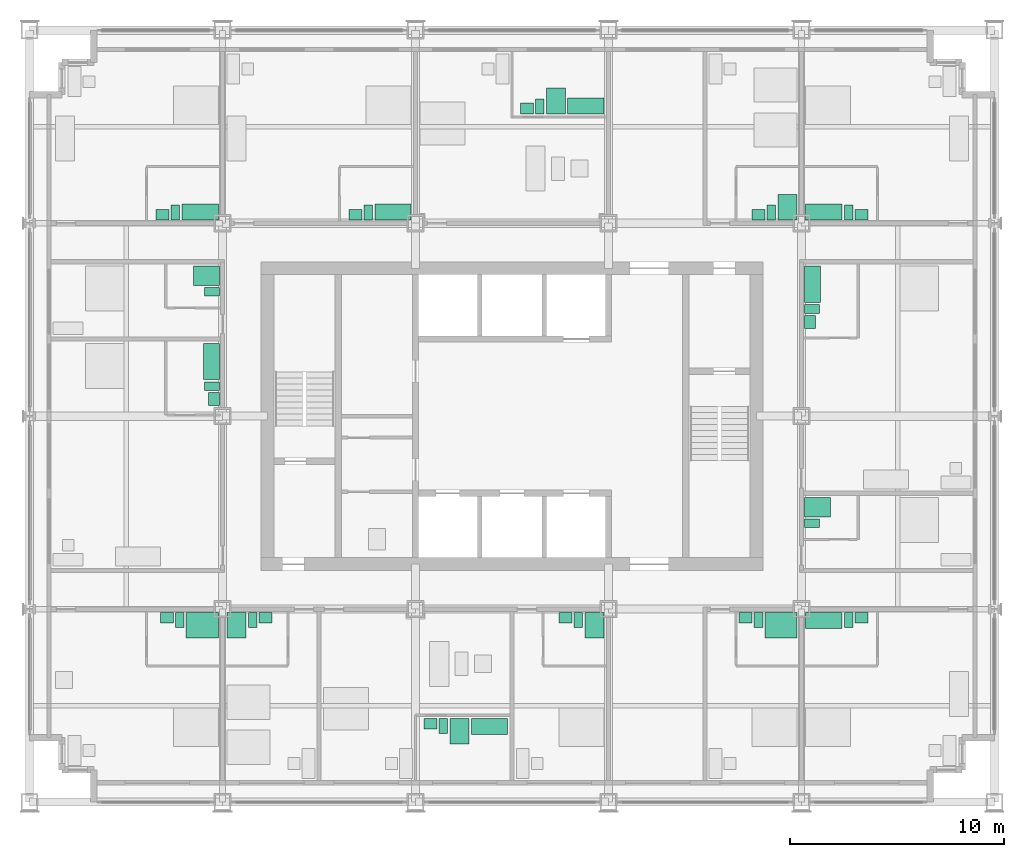
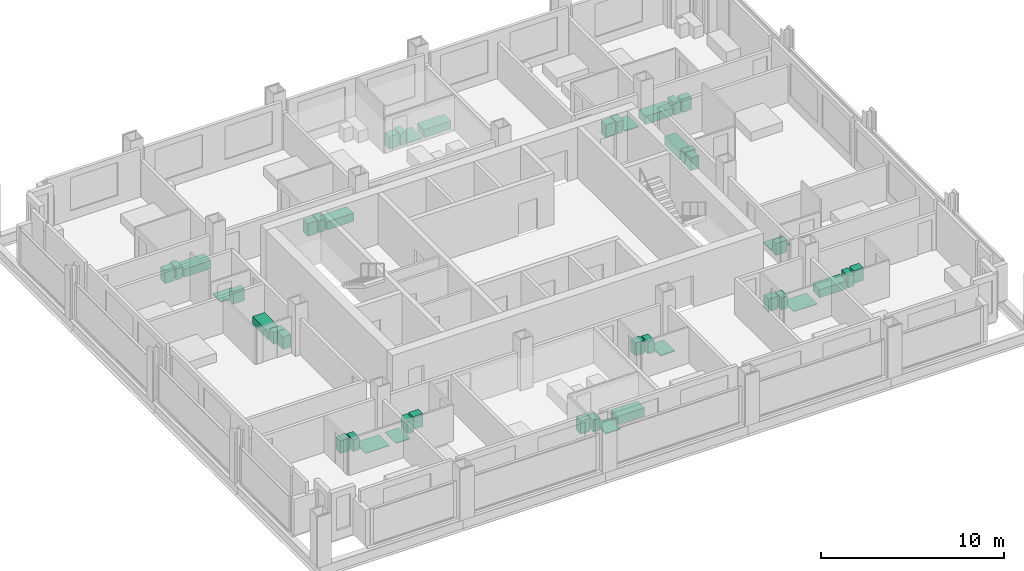
# One storey, part 15 of 16: 45 sanitary terminals.
"""IFC4 building model written with IfcOpenShell, lengths in metres."""

import ifcopenshell
import ifcopenshell.guid

model = None  # the IFC model being written
_history = None  # IfcOwnerHistory: only IFC2X3 demands one
_inside = {}  # id of a spatial element -> (the spatial element, [elements in it])
_under = {}  # id of a project, library or spatial element -> (it, [spatial elements below it])
_declared = {}  # id of a project -> (the project, [libraries it declares])
_typed = {}  # id of a type object -> (the type object, [elements of that type])
_made_of = {}  # id of a material, layer set ... -> (it, [elements and type objects made of it])


def new_model(schema):
    """Start an empty IFC model of exactly this schema.

    Asked for "IFC4X3", IfcOpenShell would pick the latest addendum, in which some entities
    have other attributes; the version numbers below select the first issue.
    IFC2X3 requires an IfcOwnerHistory on every rooted entity: one is made here for all.
    """
    global model, _history
    if schema == "IFC4X3":
        model = ifcopenshell.file(schema_version=(4, 3, 0, 0))
    else:
        model = ifcopenshell.file(schema=schema)
    _inside.clear()
    _under.clear()
    _declared.clear()
    _typed.clear()
    _made_of.clear()
    _history = None
    if model.schema == "IFC2X3":
        org = make("IfcOrganization", Name="unknown")
        user = make(
            "IfcPersonAndOrganization",
            ThePerson=make("IfcPerson", FamilyName="unknown"),
            TheOrganization=org,
        )
        app = make(
            "IfcApplication",
            ApplicationDeveloper=org,
            Version="unknown",
            ApplicationFullName="unknown",
            ApplicationIdentifier="unknown",
        )
        _history = make(
            "IfcOwnerHistory",
            OwningUser=user,
            OwningApplication=app,
            ChangeAction="ADDED",
            CreationDate=0,
        )
    return model


def make(cls, **values):
    """One entity of the class cls with the attributes given. An attribute that is None is left unset."""
    return model.create_entity(
        cls, **{name: value for name, value in values.items() if value is not None}
    )


def rooted(cls, **values):
    """An entity with a GlobalId (a new one), such as an element, a storey or a relation."""
    return make(cls, GlobalId=ifcopenshell.guid.new(), OwnerHistory=_history, **values)


def si_unit(unit_type, name, prefix=None):
    """IfcSIUnit, for example si_unit("LENGTHUNIT", "METRE", prefix="MILLI")."""
    return make("IfcSIUnit", UnitType=unit_type, Prefix=prefix, Name=name)


def assignment(units):
    """IfcUnitAssignment: the units of a project."""
    return None if units is None else make("IfcUnitAssignment", Units=units)


def point(xyz):
    """IfcCartesianPoint."""
    return None if xyz is None else make("IfcCartesianPoint", Coordinates=xyz)


def direction(xyz):
    """IfcDirection."""
    return None if xyz is None else make("IfcDirection", DirectionRatios=xyz)


def frame(location, z_axis=None, x_axis=None):
    """IfcAxis2Placement3D, a coordinate frame: its origin and axes. An axis left out is left unset."""
    return make(
        "IfcAxis2Placement3D",
        Location=point(location),
        Axis=direction(z_axis),
        RefDirection=direction(x_axis),
    )


def frame_2d(location, x_axis=None):
    """IfcAxis2Placement2D, a coordinate frame in the plane: its origin and x axis."""
    return make(
        "IfcAxis2Placement2D", Location=point(location), RefDirection=direction(x_axis)
    )


def origin():
    """The frame at (0, 0, 0) with its axes left unset."""
    return frame((0.0, 0.0, 0.0))


def origin_2d():
    """The frame at (0, 0) in the plane with its x axis left unset."""
    return frame_2d((0.0, 0.0))


def place(relative_to, where):
    """IfcLocalPlacement: puts the frame where relative to a parent placement (None: the world)."""
    return make(
        "IfcLocalPlacement", PlacementRelTo=relative_to, RelativePlacement=where
    )


def context(
    kind, dimensions, precision=None, world=None, true_north=None, identifier=None
):
    """IfcGeometricRepresentationContext, for example the 3D "Model" context."""
    return make(
        "IfcGeometricRepresentationContext",
        ContextIdentifier=identifier,
        ContextType=kind,
        CoordinateSpaceDimension=dimensions,
        Precision=precision,
        WorldCoordinateSystem=world,
        TrueNorth=true_north,
    )


def subcontext(parent, identifier, kind, view, scale=None):
    """IfcGeometricRepresentationSubContext, for example "Body" below "Model"."""
    return make(
        "IfcGeometricRepresentationSubContext",
        ContextIdentifier=identifier,
        ContextType=kind,
        ParentContext=parent,
        TargetScale=scale,
        TargetView=view,
    )


def project(units=None, contexts=None):
    """IfcProject with its units and contexts."""
    return rooted(
        "IfcProject",
        Name="project",
        RepresentationContexts=contexts,
        UnitsInContext=assignment(units),
    )


def spatial(cls, under=None, at=None, **own):
    """A site, building, storey or space (cls), placed at a placement, below another one or the project."""
    s = rooted(cls, ObjectPlacement=at, **own)
    if under is not None:
        _under.setdefault(under.id(), (under, []))[1].append(s)
    return s


def profile(cls, at=None, kind="AREA", **sizes):
    """A parametric profile (cls). Its sizes go by their IFC names, for example OverallWidth=200.0."""
    return make(cls, ProfileType=kind, Position=at, **sizes)


def rectangle(**sizes):
    """IfcRectangleProfileDef."""
    return profile("IfcRectangleProfileDef", **sizes)


def extrude(swept, where, along, depth):
    """IfcExtrudedAreaSolid: the profile swept, set in the frame where, extruded along a direction by depth."""
    return make(
        "IfcExtrudedAreaSolid",
        SweptArea=swept,
        Position=where,
        ExtrudedDirection=direction(along),
        Depth=depth,
    )


def shape(context_of_items, identifier, shape_type, items):
    """IfcShapeRepresentation: the items that make up one representation, for example the "Body"."""
    return make(
        "IfcShapeRepresentation",
        ContextOfItems=context_of_items,
        RepresentationIdentifier=identifier,
        RepresentationType=shape_type,
        Items=items,
    )


def made_of(thing, what):
    """Note that an element or type object is made of a material, layer set ...; save() writes the relation."""
    if what is not None:
        _made_of.setdefault(what.id(), (what, []))[1].append(thing)
    return thing


def element(
    cls,
    number,
    at=None,
    inside=None,
    cuts=None,
    type_object=None,
    material=None,
    context=None,
    identifier="Body",
    shape_type=None,
    held_by="IfcProductDefinitionShape",
    body=None,
    shapes=None,
    **own,
):
    """One element of the class cls, such as IfcWall. Its Tag is "e" and its number.

    at: its placement. inside: the storey or other place that contains it. cuts: it is an
    opening in that element (IfcRelVoidsElement). A single representation is given by context,
    identifier, shape_type and body (its items); several are given by shapes. held_by: the class
    of the entity that holds the representations. save() writes the other relations.
    """
    e = rooted(cls, Tag="e%d" % number, ObjectPlacement=at, **own)
    if body is not None:
        shapes = [shape(context, identifier, shape_type, body)]
    if shapes is not None:
        e.Representation = make(held_by, Representations=shapes)
    if inside is not None:
        _inside.setdefault(inside.id(), (inside, []))[1].append(e)
    if cuts is not None:
        rooted(
            "IfcRelVoidsElement", RelatingBuildingElement=cuts, RelatedOpeningElement=e
        )
    if type_object is not None:
        _typed.setdefault(type_object.id(), (type_object, []))[1].append(e)
    return made_of(e, material)


def aggregate(whole, parts):
    """IfcRelAggregates: a whole, such as a stair, and the parts it consists of."""
    return rooted("IfcRelAggregates", RelatingObject=whole, RelatedObjects=parts)


def save(model, path):
    """Write the relations noted so far, then the file.

    IfcRelAggregates (storeys below a building ...), IfcRelContainedInSpatialStructure (elements
    in a storey), IfcRelDefinesByType, IfcRelAssociatesMaterial and IfcRelDeclares: one each for
    every whole, place, type object, material and project.
    """
    for whole, parts in _under.values():
        aggregate(whole, parts)
    for where, things in _inside.values():
        rooted(
            "IfcRelContainedInSpatialStructure",
            RelatedElements=things,
            RelatingStructure=where,
        )
    for kind, things in _typed.values():
        rooted("IfcRelDefinesByType", RelatedObjects=things, RelatingType=kind)
    for what, things in _made_of.values():
        rooted("IfcRelAssociatesMaterial", RelatedObjects=things, RelatingMaterial=what)
    for by, libraries in _declared.values():
        rooted("IfcRelDeclares", RelatingContext=by, RelatedDefinitions=libraries)
    model.write(path)


model = new_model("IFC4")

# Units and contexts
model_context = context("Model", 3, precision=1e-05, world=origin(), true_north=direction((0.0, 1.0)))
body_context = subcontext(model_context, "Body", "Model", "MODEL_VIEW")
ifc_project = project(units=[si_unit("LENGTHUNIT", "METRE"), si_unit("AREAUNIT", "SQUARE_METRE"), si_unit("VOLUMEUNIT", "CUBIC_METRE"), si_unit("PLANEANGLEUNIT", "RADIAN"), si_unit("MASSUNIT", "GRAM", prefix="KILO")], contexts=[model_context])

# Site, building, storey
site_placement = place(None, origin())
site = spatial("IfcSite", under=ifc_project, at=site_placement, CompositionType="ELEMENT")
building_placement = place(site_placement, origin())
building = spatial("IfcBuilding", under=site, at=building_placement, Name="Loomwork Tower", CompositionType="ELEMENT")
storey_placement = place(building_placement, frame((0.0, 0.0, 121.39990234375)))
storey = spatial("IfcBuildingStorey", under=building, at=storey_placement, Name="L32", CompositionType="ELEMENT", Elevation=121.39990234375)

# Sanitary terminals
sanitary_terminal_1_placement = place(storey_placement, frame((8.050048828125, 8.25, 0.0), z_axis=(0.0, 0.0, 1.0), x_axis=(1.0, 0.0, 0.0)))
element("IfcSanitaryTerminal", 1, at=sanitary_terminal_1_placement, inside=storey, Name="Roll-in shower floor L32", PredefinedType="SHOWER", context=body_context, shape_type="SweptSolid", body=[
    extrude(rectangle(XDim=1.5, YDim=1.199951171875, at=origin_2d()), origin(), (0.0, 0.0, 1.0), 0.030029296875),
])
sanitary_terminal_2_placement = place(storey_placement, frame((7.0, 8.5, 0.0), z_axis=(0.0, 0.0, 1.0), x_axis=(1.0, 0.0, 0.0)))
element("IfcSanitaryTerminal", 2, at=sanitary_terminal_2_placement, inside=storey, Name="WC L32", PredefinedType="TOILETPAN", context=body_context, shape_type="SweptSolid", body=[
    extrude(rectangle(XDim=0.39990234375, YDim=0.699951171875, at=origin_2d()), origin(), (0.0, 0.0, 1.0), 0.800048828125),
])
sanitary_terminal_3_placement = place(storey_placement, frame((6.39990234375, 8.60009765625, 0.0), z_axis=(0.0, 0.0, 1.0), x_axis=(1.0, 0.0, 0.0)))
element("IfcSanitaryTerminal", 3, at=sanitary_terminal_3_placement, inside=storey, Name="Basin vanity L32", PredefinedType="WASHHANDBASIN", context=body_context, shape_type="SweptSolid", body=[
    extrude(rectangle(XDim=0.60009765625, YDim=0.5, at=origin_2d()), origin(), (0.0, 0.0, 1.0), 0.85009765625),
])
sanitary_terminal_4_placement = place(storey_placement, frame((9.64990234375, 8.25, 0.0), z_axis=(0.0, 0.0, 1.0), x_axis=(1.0, 0.0, 0.0)))
element("IfcSanitaryTerminal", 4, at=sanitary_terminal_4_placement, inside=storey, Name="Shower tray L32", PredefinedType="SHOWER", context=body_context, shape_type="SweptSolid", body=[
    extrude(rectangle(XDim=0.89990234375, YDim=1.199951171875, at=origin_2d()), origin(), (0.0, 0.0, 1.0), 0.050048828125),
])
sanitary_terminal_5_placement = place(storey_placement, frame((10.39990234375, 8.5, 0.0), z_axis=(0.0, 0.0, 1.0), x_axis=(1.0, 0.0, 0.0)))
element("IfcSanitaryTerminal", 5, at=sanitary_terminal_5_placement, inside=storey, Name="WC L32", PredefinedType="TOILETPAN", context=body_context, shape_type="SweptSolid", body=[
    extrude(rectangle(XDim=0.39990234375, YDim=0.699951171875, at=origin_2d()), origin(), (0.0, 0.0, 1.0), 0.800048828125),
])
sanitary_terminal_6_placement = place(storey_placement, frame((11.0, 8.60009765625, 0.0), z_axis=(0.0, 0.0, 1.0), x_axis=(1.0, 0.0, 0.0)))
element("IfcSanitaryTerminal", 6, at=sanitary_terminal_6_placement, inside=storey, Name="Basin vanity L32", PredefinedType="WASHHANDBASIN", context=body_context, shape_type="SweptSolid", body=[
    extrude(rectangle(XDim=0.60009765625, YDim=0.5, at=origin_2d()), origin(), (0.0, 0.0, 1.0), 0.85009765625),
])
sanitary_terminal_7_placement = place(storey_placement, frame((21.449951171875, 3.52490234375, 0.0), z_axis=(0.0, 0.0, 1.0), x_axis=(1.0, 0.0, 0.0)))
element("IfcSanitaryTerminal", 7, at=sanitary_terminal_7_placement, inside=storey, Name="Bath L32", PredefinedType="BATH", context=body_context, shape_type="SweptSolid", body=[
    extrude(rectangle(XDim=1.699951171875, YDim=0.75, at=origin_2d()), origin(), (0.0, 0.0, 1.0), 0.550048828125),
])
sanitary_terminal_8_placement = place(storey_placement, frame((20.050048828125, 3.300048828125, 0.0), z_axis=(0.0, 0.0, 1.0), x_axis=(1.0, 0.0, 0.0)))
element("IfcSanitaryTerminal", 8, at=sanitary_terminal_8_placement, inside=storey, Name="Shower tray L32", PredefinedType="SHOWER", context=body_context, shape_type="SweptSolid", body=[
    extrude(rectangle(XDim=0.89990234375, YDim=1.199951171875, at=origin_2d()), origin(), (0.0, 0.0, 1.0), 0.050048828125),
])
sanitary_terminal_9_placement = place(storey_placement, frame((19.300048828125, 3.550048828125, 0.0), z_axis=(0.0, 0.0, 1.0), x_axis=(1.0, 0.0, 0.0)))
element("IfcSanitaryTerminal", 9, at=sanitary_terminal_9_placement, inside=storey, Name="WC L32", PredefinedType="TOILETPAN", context=body_context, shape_type="SweptSolid", body=[
    extrude(rectangle(XDim=0.39990234375, YDim=0.699951171875, at=origin_2d()), origin(), (0.0, 0.0, 1.0), 0.800048828125),
])
sanitary_terminal_10_placement = place(storey_placement, frame((18.699951171875, 3.64990234375, 0.0), z_axis=(0.0, 0.0, 1.0), x_axis=(1.0, 0.0, 0.0)))
element("IfcSanitaryTerminal", 10, at=sanitary_terminal_10_placement, inside=storey, Name="Basin vanity L32", PredefinedType="WASHHANDBASIN", context=body_context, shape_type="SweptSolid", body=[
    extrude(rectangle(XDim=0.60009765625, YDim=0.5, at=origin_2d()), origin(), (0.0, 0.0, 1.0), 0.85009765625),
])
sanitary_terminal_11_placement = place(storey_placement, frame((26.35009765625, 8.25, 0.0), z_axis=(0.0, 0.0, 1.0), x_axis=(1.0, 0.0, 0.0)))
element("IfcSanitaryTerminal", 11, at=sanitary_terminal_11_placement, inside=storey, Name="Shower tray L32", PredefinedType="SHOWER", context=body_context, shape_type="SweptSolid", body=[
    extrude(rectangle(XDim=0.89990234375, YDim=1.199951171875, at=origin_2d()), origin(), (0.0, 0.0, 1.0), 0.050048828125),
])
sanitary_terminal_12_placement = place(storey_placement, frame((25.60009765625, 8.5, 0.0), z_axis=(0.0, 0.0, 1.0), x_axis=(1.0, 0.0, 0.0)))
element("IfcSanitaryTerminal", 12, at=sanitary_terminal_12_placement, inside=storey, Name="WC L32", PredefinedType="TOILETPAN", context=body_context, shape_type="SweptSolid", body=[
    extrude(rectangle(XDim=0.39990234375, YDim=0.699951171875, at=origin_2d()), origin(), (0.0, 0.0, 1.0), 0.800048828125),
])
sanitary_terminal_13_placement = place(storey_placement, frame((25.0, 8.60009765625, 0.0), z_axis=(0.0, 0.0, 1.0), x_axis=(1.0, 0.0, 0.0)))
element("IfcSanitaryTerminal", 13, at=sanitary_terminal_13_placement, inside=storey, Name="Basin vanity L32", PredefinedType="WASHHANDBASIN", context=body_context, shape_type="SweptSolid", body=[
    extrude(rectangle(XDim=0.60009765625, YDim=0.5, at=origin_2d()), origin(), (0.0, 0.0, 1.0), 0.85009765625),
])
sanitary_terminal_14_placement = place(storey_placement, frame((35.050048828125, 8.25, 0.0), z_axis=(0.0, 0.0, 1.0), x_axis=(1.0, 0.0, 0.0)))
element("IfcSanitaryTerminal", 14, at=sanitary_terminal_14_placement, inside=storey, Name="Roll-in shower floor L32", PredefinedType="SHOWER", context=body_context, shape_type="SweptSolid", body=[
    extrude(rectangle(XDim=1.5, YDim=1.199951171875, at=origin_2d()), origin(), (0.0, 0.0, 1.0), 0.030029296875),
])
sanitary_terminal_15_placement = place(storey_placement, frame((34.0, 8.5, 0.0), z_axis=(0.0, 0.0, 1.0), x_axis=(1.0, 0.0, 0.0)))
element("IfcSanitaryTerminal", 15, at=sanitary_terminal_15_placement, inside=storey, Name="WC L32", PredefinedType="TOILETPAN", context=body_context, shape_type="SweptSolid", body=[
    extrude(rectangle(XDim=0.39990234375, YDim=0.699951171875, at=origin_2d()), origin(), (0.0, 0.0, 1.0), 0.800048828125),
])
sanitary_terminal_16_placement = place(storey_placement, frame((33.39990234375, 8.60009765625, 0.0), z_axis=(0.0, 0.0, 1.0), x_axis=(1.0, 0.0, 0.0)))
element("IfcSanitaryTerminal", 16, at=sanitary_terminal_16_placement, inside=storey, Name="Basin vanity L32", PredefinedType="WASHHANDBASIN", context=body_context, shape_type="SweptSolid", body=[
    extrude(rectangle(XDim=0.60009765625, YDim=0.5, at=origin_2d()), origin(), (0.0, 0.0, 1.0), 0.85009765625),
])
sanitary_terminal_17_placement = place(storey_placement, frame((37.050048828125, 8.47509765625, 0.0), z_axis=(0.0, 0.0, 1.0), x_axis=(1.0, 0.0, 0.0)))
element("IfcSanitaryTerminal", 17, at=sanitary_terminal_17_placement, inside=storey, Name="Bath L32", PredefinedType="BATH", context=body_context, shape_type="SweptSolid", body=[
    extrude(rectangle(XDim=1.699951171875, YDim=0.75, at=origin_2d()), origin(), (0.0, 0.0, 1.0), 0.550048828125),
])
sanitary_terminal_18_placement = place(storey_placement, frame((38.199951171875, 8.5, 0.0), z_axis=(0.0, 0.0, 1.0), x_axis=(1.0, 0.0, 0.0)))
element("IfcSanitaryTerminal", 18, at=sanitary_terminal_18_placement, inside=storey, Name="WC L32", PredefinedType="TOILETPAN", context=body_context, shape_type="SweptSolid", body=[
    extrude(rectangle(XDim=0.39990234375, YDim=0.699951171875, at=origin_2d()), origin(), (0.0, 0.0, 1.0), 0.800048828125),
])
sanitary_terminal_19_placement = place(storey_placement, frame((38.800048828125, 8.60009765625, 0.0), z_axis=(0.0, 0.0, 1.0), x_axis=(1.0, 0.0, 0.0)))
element("IfcSanitaryTerminal", 19, at=sanitary_terminal_19_placement, inside=storey, Name="Basin vanity L32", PredefinedType="WASHHANDBASIN", context=body_context, shape_type="SweptSolid", body=[
    extrude(rectangle(XDim=0.60009765625, YDim=0.5, at=origin_2d()), origin(), (0.0, 0.0, 1.0), 0.85009765625),
])
sanitary_terminal_20_placement = place(storey_placement, frame((7.949951171875, 27.52490234375, 0.0), z_axis=(0.0, 0.0, 1.0), x_axis=(1.0, 0.0, 0.0)))
element("IfcSanitaryTerminal", 20, at=sanitary_terminal_20_placement, inside=storey, Name="Bath L32", PredefinedType="BATH", context=body_context, shape_type="SweptSolid", body=[
    extrude(rectangle(XDim=1.699951171875, YDim=0.75, at=origin_2d()), origin(), (0.0, 0.0, 1.0), 0.550048828125),
])
sanitary_terminal_21_placement = place(storey_placement, frame((6.800048828125, 27.5, 0.0), z_axis=(0.0, 0.0, 1.0), x_axis=(1.0, 0.0, 0.0)))
element("IfcSanitaryTerminal", 21, at=sanitary_terminal_21_placement, inside=storey, Name="WC L32", PredefinedType="TOILETPAN", context=body_context, shape_type="SweptSolid", body=[
    extrude(rectangle(XDim=0.39990234375, YDim=0.699951171875, at=origin_2d()), origin(), (0.0, 0.0, 1.0), 0.800048828125),
])
sanitary_terminal_22_placement = place(storey_placement, frame((6.199951171875, 27.39990234375, 0.0), z_axis=(0.0, 0.0, 1.0), x_axis=(1.0, 0.0, 0.0)))
element("IfcSanitaryTerminal", 22, at=sanitary_terminal_22_placement, inside=storey, Name="Basin vanity L32", PredefinedType="WASHHANDBASIN", context=body_context, shape_type="SweptSolid", body=[
    extrude(rectangle(XDim=0.60009765625, YDim=0.5, at=origin_2d()), origin(), (0.0, 0.0, 1.0), 0.85009765625),
])
sanitary_terminal_23_placement = place(storey_placement, frame((16.949951171875, 27.52490234375, 0.0), z_axis=(0.0, 0.0, 1.0), x_axis=(1.0, 0.0, 0.0)))
element("IfcSanitaryTerminal", 23, at=sanitary_terminal_23_placement, inside=storey, Name="Bath L32", PredefinedType="BATH", context=body_context, shape_type="SweptSolid", body=[
    extrude(rectangle(XDim=1.699951171875, YDim=0.75, at=origin_2d()), origin(), (0.0, 0.0, 1.0), 0.550048828125),
])
sanitary_terminal_24_placement = place(storey_placement, frame((15.800048828125, 27.5, 0.0), z_axis=(0.0, 0.0, 1.0), x_axis=(1.0, 0.0, 0.0)))
element("IfcSanitaryTerminal", 24, at=sanitary_terminal_24_placement, inside=storey, Name="WC L32", PredefinedType="TOILETPAN", context=body_context, shape_type="SweptSolid", body=[
    extrude(rectangle(XDim=0.39990234375, YDim=0.699951171875, at=origin_2d()), origin(), (0.0, 0.0, 1.0), 0.800048828125),
])
sanitary_terminal_25_placement = place(storey_placement, frame((15.199951171875, 27.39990234375, 0.0), z_axis=(0.0, 0.0, 1.0), x_axis=(1.0, 0.0, 0.0)))
element("IfcSanitaryTerminal", 25, at=sanitary_terminal_25_placement, inside=storey, Name="Basin vanity L32", PredefinedType="WASHHANDBASIN", context=body_context, shape_type="SweptSolid", body=[
    extrude(rectangle(XDim=0.60009765625, YDim=0.5, at=origin_2d()), origin(), (0.0, 0.0, 1.0), 0.85009765625),
])
sanitary_terminal_26_placement = place(storey_placement, frame((25.949951171875, 32.47509765625, 0.0), z_axis=(0.0, 0.0, 1.0), x_axis=(1.0, 0.0, 0.0)))
element("IfcSanitaryTerminal", 26, at=sanitary_terminal_26_placement, inside=storey, Name="Bath L32", PredefinedType="BATH", context=body_context, shape_type="SweptSolid", body=[
    extrude(rectangle(XDim=1.699951171875, YDim=0.75, at=origin_2d()), origin(), (0.0, 0.0, 1.0), 0.550048828125),
])
sanitary_terminal_27_placement = place(storey_placement, frame((24.550048828125, 32.699951171875, 0.0), z_axis=(0.0, 0.0, 1.0), x_axis=(1.0, 0.0, 0.0)))
element("IfcSanitaryTerminal", 27, at=sanitary_terminal_27_placement, inside=storey, Name="Shower tray L32", PredefinedType="SHOWER", context=body_context, shape_type="SweptSolid", body=[
    extrude(rectangle(XDim=0.89990234375, YDim=1.199951171875, at=origin_2d()), origin(), (0.0, 0.0, 1.0), 0.050048828125),
])
sanitary_terminal_28_placement = place(storey_placement, frame((23.800048828125, 32.449951171875, 0.0), z_axis=(0.0, 0.0, 1.0), x_axis=(1.0, 0.0, 0.0)))
element("IfcSanitaryTerminal", 28, at=sanitary_terminal_28_placement, inside=storey, Name="WC L32", PredefinedType="TOILETPAN", context=body_context, shape_type="SweptSolid", body=[
    extrude(rectangle(XDim=0.39990234375, YDim=0.699951171875, at=origin_2d()), origin(), (0.0, 0.0, 1.0), 0.800048828125),
])
sanitary_terminal_29_placement = place(storey_placement, frame((23.199951171875, 32.35009765625, 0.0), z_axis=(0.0, 0.0, 1.0), x_axis=(1.0, 0.0, 0.0)))
element("IfcSanitaryTerminal", 29, at=sanitary_terminal_29_placement, inside=storey, Name="Basin vanity L32", PredefinedType="WASHHANDBASIN", context=body_context, shape_type="SweptSolid", body=[
    extrude(rectangle(XDim=0.60009765625, YDim=0.5, at=origin_2d()), origin(), (0.0, 0.0, 1.0), 0.85009765625),
])
sanitary_terminal_30_placement = place(storey_placement, frame((35.35009765625, 27.75, 0.0), z_axis=(0.0, 0.0, 1.0), x_axis=(1.0, 0.0, 0.0)))
element("IfcSanitaryTerminal", 30, at=sanitary_terminal_30_placement, inside=storey, Name="Shower tray L32", PredefinedType="SHOWER", context=body_context, shape_type="SweptSolid", body=[
    extrude(rectangle(XDim=0.89990234375, YDim=1.199951171875, at=origin_2d()), origin(), (0.0, 0.0, 1.0), 0.050048828125),
])
sanitary_terminal_31_placement = place(storey_placement, frame((34.60009765625, 27.5, 0.0), z_axis=(0.0, 0.0, 1.0), x_axis=(1.0, 0.0, 0.0)))
element("IfcSanitaryTerminal", 31, at=sanitary_terminal_31_placement, inside=storey, Name="WC L32", PredefinedType="TOILETPAN", context=body_context, shape_type="SweptSolid", body=[
    extrude(rectangle(XDim=0.39990234375, YDim=0.699951171875, at=origin_2d()), origin(), (0.0, 0.0, 1.0), 0.800048828125),
])
sanitary_terminal_32_placement = place(storey_placement, frame((34.0, 27.39990234375, 0.0), z_axis=(0.0, 0.0, 1.0), x_axis=(1.0, 0.0, 0.0)))
element("IfcSanitaryTerminal", 32, at=sanitary_terminal_32_placement, inside=storey, Name="Basin vanity L32", PredefinedType="WASHHANDBASIN", context=body_context, shape_type="SweptSolid", body=[
    extrude(rectangle(XDim=0.60009765625, YDim=0.5, at=origin_2d()), origin(), (0.0, 0.0, 1.0), 0.85009765625),
])
sanitary_terminal_33_placement = place(storey_placement, frame((37.050048828125, 27.52490234375, 0.0), z_axis=(0.0, 0.0, 1.0), x_axis=(1.0, 0.0, 0.0)))
element("IfcSanitaryTerminal", 33, at=sanitary_terminal_33_placement, inside=storey, Name="Bath L32", PredefinedType="BATH", context=body_context, shape_type="SweptSolid", body=[
    extrude(rectangle(XDim=1.699951171875, YDim=0.75, at=origin_2d()), origin(), (0.0, 0.0, 1.0), 0.550048828125),
])
sanitary_terminal_34_placement = place(storey_placement, frame((38.199951171875, 27.5, 0.0), z_axis=(0.0, 0.0, 1.0), x_axis=(1.0, 0.0, 0.0)))
element("IfcSanitaryTerminal", 34, at=sanitary_terminal_34_placement, inside=storey, Name="WC L32", PredefinedType="TOILETPAN", context=body_context, shape_type="SweptSolid", body=[
    extrude(rectangle(XDim=0.39990234375, YDim=0.699951171875, at=origin_2d()), origin(), (0.0, 0.0, 1.0), 0.800048828125),
])
sanitary_terminal_35_placement = place(storey_placement, frame((38.800048828125, 27.39990234375, 0.0), z_axis=(0.0, 0.0, 1.0), x_axis=(1.0, 0.0, 0.0)))
element("IfcSanitaryTerminal", 35, at=sanitary_terminal_35_placement, inside=storey, Name="Basin vanity L32", PredefinedType="WASHHANDBASIN", context=body_context, shape_type="SweptSolid", body=[
    extrude(rectangle(XDim=0.60009765625, YDim=0.5, at=origin_2d()), origin(), (0.0, 0.0, 1.0), 0.85009765625),
])
sanitary_terminal_36_placement = place(storey_placement, frame((8.47509765625, 20.550048828125, 0.0), z_axis=(0.0, 0.0, 1.0), x_axis=(1.0, 0.0, 0.0)))
element("IfcSanitaryTerminal", 36, at=sanitary_terminal_36_placement, inside=storey, Name="Bath L32", PredefinedType="BATH", context=body_context, shape_type="SweptSolid", body=[
    extrude(rectangle(XDim=0.75, YDim=1.699951171875, at=origin_2d()), origin(), (0.0, 0.0, 1.0), 0.550048828125),
])
sanitary_terminal_37_placement = place(storey_placement, frame((8.5, 19.39990234375, 0.0), z_axis=(0.0, 0.0, 1.0), x_axis=(1.0, 0.0, 0.0)))
element("IfcSanitaryTerminal", 37, at=sanitary_terminal_37_placement, inside=storey, Name="WC L32", PredefinedType="TOILETPAN", context=body_context, shape_type="SweptSolid", body=[
    extrude(rectangle(XDim=0.699951171875, YDim=0.39990234375, at=origin_2d()), origin(), (0.0, 0.0, 1.0), 0.800048828125),
])
sanitary_terminal_38_placement = place(storey_placement, frame((8.60009765625, 18.800048828125, 0.0), z_axis=(0.0, 0.0, 1.0), x_axis=(1.0, 0.0, 0.0)))
element("IfcSanitaryTerminal", 38, at=sanitary_terminal_38_placement, inside=storey, Name="Basin vanity L32", PredefinedType="WASHHANDBASIN", context=body_context, shape_type="SweptSolid", body=[
    extrude(rectangle(XDim=0.5, YDim=0.60009765625, at=origin_2d()), origin(), (0.0, 0.0, 1.0), 0.85009765625),
])
sanitary_terminal_39_placement = place(storey_placement, frame((8.25, 24.550048828125, 0.0), z_axis=(0.0, 0.0, 1.0), x_axis=(1.0, 0.0, 0.0)))
element("IfcSanitaryTerminal", 39, at=sanitary_terminal_39_placement, inside=storey, Name="Shower tray L32", PredefinedType="SHOWER", context=body_context, shape_type="SweptSolid", body=[
    extrude(rectangle(XDim=1.199951171875, YDim=0.89990234375, at=origin_2d()), origin(), (0.0, 0.0, 1.0), 0.050048828125),
])
sanitary_terminal_40_placement = place(storey_placement, frame((8.5, 23.800048828125, 0.0), z_axis=(0.0, 0.0, 1.0), x_axis=(1.0, 0.0, 0.0)))
element("IfcSanitaryTerminal", 40, at=sanitary_terminal_40_placement, inside=storey, Name="WC L32", PredefinedType="TOILETPAN", context=body_context, shape_type="SweptSolid", body=[
    extrude(rectangle(XDim=0.699951171875, YDim=0.39990234375, at=origin_2d()), origin(), (0.0, 0.0, 1.0), 0.800048828125),
])
sanitary_terminal_41_placement = place(storey_placement, frame((36.75, 13.75, 0.0), z_axis=(0.0, 0.0, 1.0), x_axis=(1.0, 0.0, 0.0)))
element("IfcSanitaryTerminal", 41, at=sanitary_terminal_41_placement, inside=storey, Name="Shower tray L32", PredefinedType="SHOWER", context=body_context, shape_type="SweptSolid", body=[
    extrude(rectangle(XDim=1.199951171875, YDim=0.89990234375, at=origin_2d()), origin(), (0.0, 0.0, 1.0), 0.050048828125),
])
sanitary_terminal_42_placement = place(storey_placement, frame((36.5, 13.0, 0.0), z_axis=(0.0, 0.0, 1.0), x_axis=(1.0, 0.0, 0.0)))
element("IfcSanitaryTerminal", 42, at=sanitary_terminal_42_placement, inside=storey, Name="WC L32", PredefinedType="TOILETPAN", context=body_context, shape_type="SweptSolid", body=[
    extrude(rectangle(XDim=0.699951171875, YDim=0.39990234375, at=origin_2d()), origin(), (0.0, 0.0, 1.0), 0.800048828125),
])
sanitary_terminal_43_placement = place(storey_placement, frame((36.52490234375, 24.14990234375, 0.0), z_axis=(0.0, 0.0, 1.0), x_axis=(1.0, 0.0, 0.0)))
element("IfcSanitaryTerminal", 43, at=sanitary_terminal_43_placement, inside=storey, Name="Bath L32", PredefinedType="BATH", context=body_context, shape_type="SweptSolid", body=[
    extrude(rectangle(XDim=0.75, YDim=1.699951171875, at=origin_2d()), origin(), (0.0, 0.0, 1.0), 0.550048828125),
])
sanitary_terminal_44_placement = place(storey_placement, frame((36.5, 23.0, 0.0), z_axis=(0.0, 0.0, 1.0), x_axis=(1.0, 0.0, 0.0)))
element("IfcSanitaryTerminal", 44, at=sanitary_terminal_44_placement, inside=storey, Name="WC L32", PredefinedType="TOILETPAN", context=body_context, shape_type="SweptSolid", body=[
    extrude(rectangle(XDim=0.699951171875, YDim=0.39990234375, at=origin_2d()), origin(), (0.0, 0.0, 1.0), 0.800048828125),
])
sanitary_terminal_45_placement = place(storey_placement, frame((36.39990234375, 22.39990234375, 0.0), z_axis=(0.0, 0.0, 1.0), x_axis=(1.0, 0.0, 0.0)))
element("IfcSanitaryTerminal", 45, at=sanitary_terminal_45_placement, inside=storey, Name="Basin vanity L32", PredefinedType="WASHHANDBASIN", context=body_context, shape_type="SweptSolid", body=[
    extrude(rectangle(XDim=0.5, YDim=0.60009765625, at=origin_2d()), origin(), (0.0, 0.0, 1.0), 0.85009765625),
])

save(model, "model.ifc")
